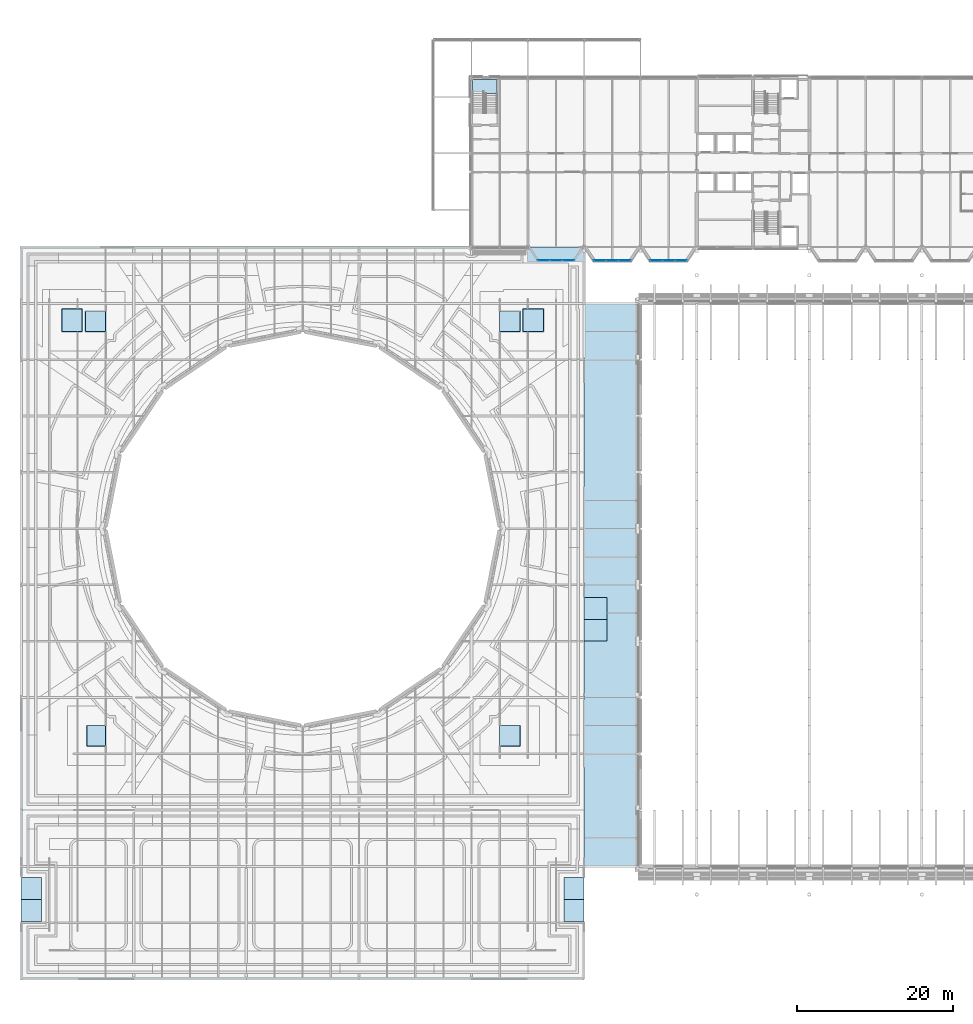
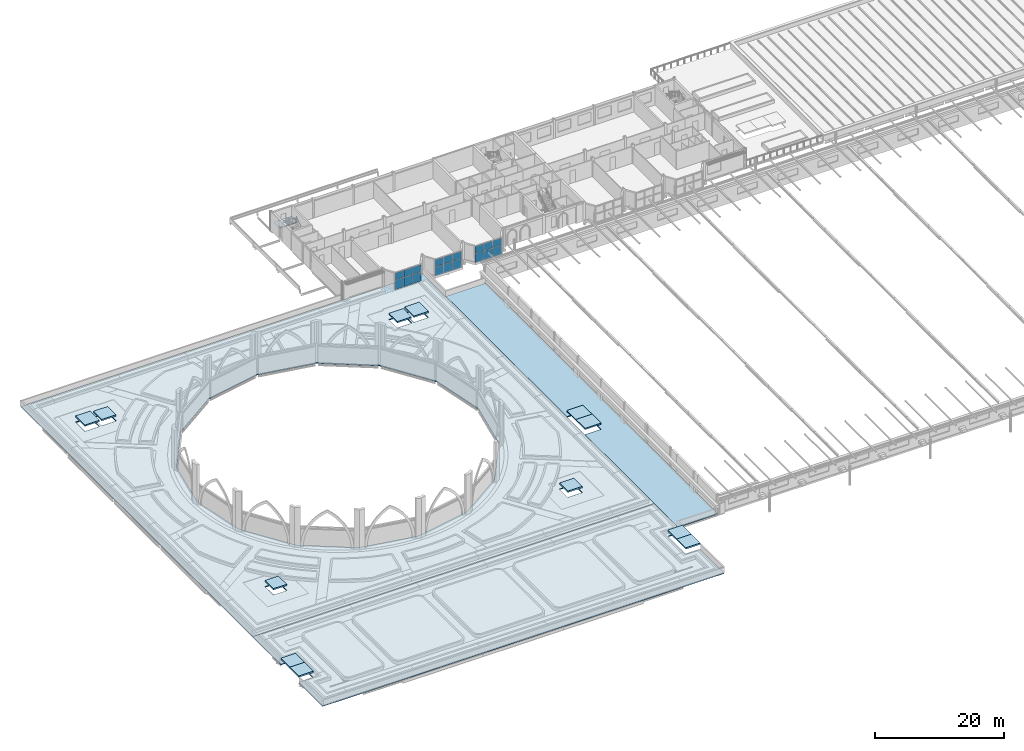
# One storey, part 36 of 110: 18 plates, 16 slabs, 4 elements without a shape of their own.
"""IFC4 building model written with IfcOpenShell, lengths in metres."""

from ifc_helpers import new_model, si_unit, direction, frame, origin, origin_2d, place, context, subcontext, project, spatial, polyline, rectangle, outline, extrude, material, layer, layer_set, type_object, element, aggregate, save


model = new_model("IFC4")

# Units and contexts
model_context = context("Model", 3, precision=1e-05, world=origin(), true_north=direction((0.0, 1.0)))
body_context = subcontext(model_context, "Body", "Model", "MODEL_VIEW")
ifc_project = project(units=[si_unit("LENGTHUNIT", "METRE"), si_unit("AREAUNIT", "SQUARE_METRE"), si_unit("VOLUMEUNIT", "CUBIC_METRE"), si_unit("PLANEANGLEUNIT", "RADIAN"), si_unit("MASSUNIT", "GRAM", prefix="KILO")], contexts=[model_context])

# Site, building, storey
site_placement = place(None, origin())
site = spatial("IfcSite", under=ifc_project, at=site_placement, CompositionType="ELEMENT")
building_placement = place(site_placement, origin())
building = spatial("IfcBuilding", under=site, at=building_placement, Name="Kupolbacken Congress Centre", CompositionType="ELEMENT")
storey_placement = place(building_placement, frame((0.0, 0.0, 18.0)))
storey = spatial("IfcBuildingStorey", under=building, at=storey_placement, Name="L05", CompositionType="ELEMENT", Elevation=18.0)

# Slabs
ifc_material_1 = material(Name="Concrete C30/37", Category="concrete")
ifc_layer_1 = layer(ifc_material_1, 0.1201171875)
ifc_material_2 = material(Name="Steel S350 profiled deck", Category="steel")
ifc_layer_2 = layer(ifc_material_2, 0.06005859375)
ifc_layer_set_1 = layer_set([ifc_layer_1, ifc_layer_2], Name="Concrete C30/37 / Steel S350 profiled deck")
slab_type_1 = type_object("IfcSlabType", Name="FS3 slab 180", PredefinedType="FLOOR", material=ifc_layer_set_1)
slab_1_placement = place(storey_placement, frame((0.0, 0.0, -0.179931640625)))
element("IfcSlab", 1, at=slab_1_placement, inside=storey, type_object=slab_type_1, Name="S/floor/F/L05/slab/slab", PredefinedType="ROOF", context=body_context, shape_type="SweptSolid", body=[
    extrude(outline(polyline([(79.199462890625, 28.800537109375), (79.199462890625, 36.1494140625), (76.599609375, 36.1494140625), (76.599609375, 41.75048828125), (79.199462890625, 41.75048828125), (79.199462890625, 50.3994140625), (7.200439453125, 50.3994140625), (7.200439453125, 41.75048828125), (9.800537109375, 41.75048828125), (9.800537109375, 36.1494140625), (7.200439453125, 36.1494140625), (7.200439453125, 28.800537109375), (79.199462890625, 28.800537109375)])), origin(), (0.0, 0.0, 1.0), 0.179931640625),
])
slab_2_placement = place(storey_placement, frame((0.0, 0.0, -0.179931640625)))
element("IfcSlab", 2, at=slab_2_placement, inside=storey, type_object=slab_type_1, Name="S/floor/P/L05/slab/slab", PredefinedType="ROOF", context=body_context, shape_type="SweptSolid", body=[
    extrude(outline(polyline([(7.200439453125, 50.400390625), (79.199462890625, 50.400390625), (79.199462890625, 122.3994140625), (7.200439453125, 122.3994140625), (7.200439453125, 50.400390625)]), holes=[polyline([(74.00048828125, 114.50048828125), (74.00048828125, 111.599609375), (71.3994140625, 111.599609375), (71.3994140625, 114.50048828125), (74.00048828125, 114.50048828125)]), polyline([(71.00048828125, 61.200439453125), (71.00048828125, 58.599609375), (68.3994140625, 58.599609375), (68.3994140625, 61.200439453125), (71.00048828125, 61.200439453125)]), polyline([(68.3994140625, 114.200439453125), (71.00048828125, 114.200439453125), (71.00048828125, 111.599609375), (68.3994140625, 111.599609375), (68.3994140625, 114.200439453125)]), polyline([(61.000244140625, 68.599609375), (52.85009765625, 63.099609375), (43.199951171875, 61.199462890625), (33.5498046875, 63.099609375), (25.399658203125, 68.599609375), (19.8994140625, 76.749755859375), (17.99951171875, 86.39990234375), (19.8994140625, 96.05029296875), (25.399658203125, 104.200439453125), (33.5498046875, 109.700439453125), (43.199951171875, 111.6005859375), (52.85009765625, 109.700439453125), (61.000244140625, 104.200439453125), (66.50048828125, 96.05029296875), (68.400390625, 86.39990234375), (66.50048828125, 76.749755859375), (61.000244140625, 68.599609375)]), polyline([(18.00048828125, 114.200439453125), (18.00048828125, 111.599609375), (15.3994140625, 111.599609375), (15.3994140625, 114.200439453125), (18.00048828125, 114.200439453125)]), polyline([(15.599609375, 58.599609375), (15.599609375, 61.200439453125), (18.00048828125, 61.200439453125), (18.00048828125, 58.599609375), (15.599609375, 58.599609375)]), polyline([(15.00048828125, 114.50048828125), (15.00048828125, 111.599609375), (12.3994140625, 111.599609375), (12.3994140625, 114.50048828125), (15.00048828125, 114.50048828125)])]), origin(), (0.0, 0.0, 1.0), 0.179931640625),
])
slab_3_placement = place(storey_placement, frame((0.0, 0.0, -0.179931640625)))
element("IfcSlab", 3, at=slab_3_placement, inside=storey, type_object=slab_type_1, Name="S/floor/LINK/L05/slab/slab", PredefinedType="ROOF", context=body_context, shape_type="SweptSolid", body=[
    extrude(outline(polyline([(86.3994140625, 43.200439453125), (86.3994140625, 115.199462890625), (79.200439453125, 115.199462890625), (79.200439453125, 77.6005859375), (82.1005859375, 77.6005859375), (82.1005859375, 71.99951171875), (79.200439453125, 71.99951171875), (79.200439453125, 43.200439453125), (86.3994140625, 43.200439453125)])), origin(), (0.0, 0.0, 1.0), 0.179931640625),
])

# Curtain wall, plates
ifc_material_3 = material(Name="Aluminium mullion-transom frame with glass", Category="aluminium")
curtain_wall_type = type_object("IfcCurtainWallType", Name="CW1 curtain wall 7200x3600", PredefinedType="NOTDEFINED", material=ifc_material_3)
curtain_wall_1_placement = place(storey_placement, origin())
curtain_wall_1 = element("IfcCurtainWall", 4, at=curtain_wall_1_placement, inside=storey, type_object=curtain_wall_type, Name="E/T/cumba/L05/S/001/cw", PredefinedType="NOTDEFINED")
ifc_material_4 = material(Name="Glass", Category="glass")
ifc_layer_3 = layer(ifc_material_4, 0.035888671875)
ifc_layer_set_2 = layer_set([ifc_layer_3], Name="Glass")
plate_type = type_object("IfcPlateType", Name="GL2 glass panel 36", PredefinedType="CURTAIN_PANEL", material=ifc_layer_set_2)
plate_1_placement = place(storey_placement, frame((74.012451171875, 120.699951171875, 0.050048828125), z_axis=(0.0, 0.0, 1.0), x_axis=(1.0, 0.0, 0.0)))
plate_1 = element("IfcPlate", 5, at=plate_1_placement, type_object=plate_type, Name="CW1 panel 1.1", PredefinedType="CURTAIN_PANEL", context=body_context, shape_type="SweptSolid", body=[
    extrude(rectangle(XDim=1.52490234375, YDim=0.035888671875, at=origin_2d()), origin(), (0.0, 0.0, 1.0), 1.72509765625),
])
plate_2_placement = place(storey_placement, frame((74.012451171875, 120.699951171875, 1.8251953125), z_axis=(0.0, 0.0, 1.0), x_axis=(1.0, 0.0, 0.0)))
plate_2 = element("IfcPlate", 6, at=plate_2_placement, type_object=plate_type, Name="CW1 panel 1.2", PredefinedType="CURTAIN_PANEL", context=body_context, shape_type="SweptSolid", body=[
    extrude(rectangle(XDim=1.52490234375, YDim=0.035888671875, at=origin_2d()), origin(), (0.0, 0.0, 1.0), 1.344970703125),
])
plate_3_placement = place(storey_placement, frame((75.60009765625, 120.699951171875, 0.050048828125), z_axis=(0.0, 0.0, 1.0), x_axis=(1.0, 0.0, 0.0)))
plate_3 = element("IfcPlate", 7, at=plate_3_placement, type_object=plate_type, Name="CW1 panel 2.1", PredefinedType="CURTAIN_PANEL", context=body_context, shape_type="SweptSolid", body=[
    extrude(rectangle(XDim=1.550048828125, YDim=0.035888671875, at=origin_2d()), origin(), (0.0, 0.0, 1.0), 1.72509765625),
])
plate_4_placement = place(storey_placement, frame((75.60009765625, 120.699951171875, 1.8251953125), z_axis=(0.0, 0.0, 1.0), x_axis=(1.0, 0.0, 0.0)))
plate_4 = element("IfcPlate", 8, at=plate_4_placement, type_object=plate_type, Name="CW1 panel 2.2", PredefinedType="CURTAIN_PANEL", context=body_context, shape_type="SweptSolid", body=[
    extrude(rectangle(XDim=1.550048828125, YDim=0.035888671875, at=origin_2d()), origin(), (0.0, 0.0, 1.0), 1.344970703125),
])
plate_5_placement = place(storey_placement, frame((77.1875, 120.699951171875, 0.050048828125), z_axis=(0.0, 0.0, 1.0), x_axis=(1.0, 0.0, 0.0)))
plate_5 = element("IfcPlate", 9, at=plate_5_placement, type_object=plate_type, Name="CW1 panel 3.1", PredefinedType="CURTAIN_PANEL", context=body_context, shape_type="SweptSolid", body=[
    extrude(rectangle(XDim=1.52490234375, YDim=0.035888671875, at=origin_2d()), origin(), (0.0, 0.0, 1.0), 1.72509765625),
])
plate_6_placement = place(storey_placement, frame((77.1875, 120.699951171875, 1.8251953125), z_axis=(0.0, 0.0, 1.0), x_axis=(1.0, 0.0, 0.0)))
plate_6 = element("IfcPlate", 10, at=plate_6_placement, type_object=plate_type, Name="CW1 panel 3.2", PredefinedType="CURTAIN_PANEL", context=body_context, shape_type="SweptSolid", body=[
    extrude(rectangle(XDim=1.52490234375, YDim=0.035888671875, at=origin_2d()), origin(), (0.0, 0.0, 1.0), 1.344970703125),
])
aggregate(curtain_wall_1, [plate_1, plate_2, plate_3, plate_4, plate_5, plate_6])

curtain_wall_2_placement = place(storey_placement, origin())
curtain_wall_2 = element("IfcCurtainWall", 11, at=curtain_wall_2_placement, inside=storey, type_object=curtain_wall_type, Name="E/T/cumba/L05/S/005/cw", PredefinedType="NOTDEFINED")
plate_7_placement = place(storey_placement, frame((81.21240234375, 120.699951171875, 0.050048828125), z_axis=(0.0, 0.0, 1.0), x_axis=(1.0, 0.0, 0.0)))
plate_7 = element("IfcPlate", 12, at=plate_7_placement, type_object=plate_type, Name="CW1 panel 1.1", PredefinedType="CURTAIN_PANEL", context=body_context, shape_type="SweptSolid", body=[
    extrude(rectangle(XDim=1.52490234375, YDim=0.035888671875, at=origin_2d()), origin(), (0.0, 0.0, 1.0), 1.72509765625),
])
plate_8_placement = place(storey_placement, frame((81.21240234375, 120.699951171875, 1.8251953125), z_axis=(0.0, 0.0, 1.0), x_axis=(1.0, 0.0, 0.0)))
plate_8 = element("IfcPlate", 13, at=plate_8_placement, type_object=plate_type, Name="CW1 panel 1.2", PredefinedType="CURTAIN_PANEL", context=body_context, shape_type="SweptSolid", body=[
    extrude(rectangle(XDim=1.52490234375, YDim=0.035888671875, at=origin_2d()), origin(), (0.0, 0.0, 1.0), 1.344970703125),
])
plate_9_placement = place(storey_placement, frame((82.800048828125, 120.699951171875, 0.050048828125), z_axis=(0.0, 0.0, 1.0), x_axis=(1.0, 0.0, 0.0)))
plate_9 = element("IfcPlate", 14, at=plate_9_placement, type_object=plate_type, Name="CW1 panel 2.1", PredefinedType="CURTAIN_PANEL", context=body_context, shape_type="SweptSolid", body=[
    extrude(rectangle(XDim=1.550048828125, YDim=0.035888671875, at=origin_2d()), origin(), (0.0, 0.0, 1.0), 1.72509765625),
])
plate_10_placement = place(storey_placement, frame((82.800048828125, 120.699951171875, 1.8251953125), z_axis=(0.0, 0.0, 1.0), x_axis=(1.0, 0.0, 0.0)))
plate_10 = element("IfcPlate", 15, at=plate_10_placement, type_object=plate_type, Name="CW1 panel 2.2", PredefinedType="CURTAIN_PANEL", context=body_context, shape_type="SweptSolid", body=[
    extrude(rectangle(XDim=1.550048828125, YDim=0.035888671875, at=origin_2d()), origin(), (0.0, 0.0, 1.0), 1.344970703125),
])
plate_11_placement = place(storey_placement, frame((84.387451171875, 120.699951171875, 0.050048828125), z_axis=(0.0, 0.0, 1.0), x_axis=(1.0, 0.0, 0.0)))
plate_11 = element("IfcPlate", 16, at=plate_11_placement, type_object=plate_type, Name="CW1 panel 3.1", PredefinedType="CURTAIN_PANEL", context=body_context, shape_type="SweptSolid", body=[
    extrude(rectangle(XDim=1.52490234375, YDim=0.035888671875, at=origin_2d()), origin(), (0.0, 0.0, 1.0), 1.72509765625),
])
plate_12_placement = place(storey_placement, frame((84.387451171875, 120.699951171875, 1.8251953125), z_axis=(0.0, 0.0, 1.0), x_axis=(1.0, 0.0, 0.0)))
plate_12 = element("IfcPlate", 17, at=plate_12_placement, type_object=plate_type, Name="CW1 panel 3.2", PredefinedType="CURTAIN_PANEL", context=body_context, shape_type="SweptSolid", body=[
    extrude(rectangle(XDim=1.52490234375, YDim=0.035888671875, at=origin_2d()), origin(), (0.0, 0.0, 1.0), 1.344970703125),
])
aggregate(curtain_wall_2, [plate_7, plate_8, plate_9, plate_10, plate_11, plate_12])

curtain_wall_3_placement = place(storey_placement, origin())
curtain_wall_3 = element("IfcCurtainWall", 18, at=curtain_wall_3_placement, inside=storey, type_object=curtain_wall_type, Name="E/T/cumba/L05/S/009/cw", PredefinedType="NOTDEFINED")
plate_13_placement = place(storey_placement, frame((88.41259765625, 120.699951171875, 0.050048828125), z_axis=(0.0, 0.0, 1.0), x_axis=(1.0, 0.0, 0.0)))
plate_13 = element("IfcPlate", 19, at=plate_13_placement, type_object=plate_type, Name="CW1 panel 1.1", PredefinedType="CURTAIN_PANEL", context=body_context, shape_type="SweptSolid", body=[
    extrude(rectangle(XDim=1.52490234375, YDim=0.035888671875, at=origin_2d()), origin(), (0.0, 0.0, 1.0), 1.72509765625),
])
plate_14_placement = place(storey_placement, frame((88.41259765625, 120.699951171875, 1.8251953125), z_axis=(0.0, 0.0, 1.0), x_axis=(1.0, 0.0, 0.0)))
plate_14 = element("IfcPlate", 20, at=plate_14_placement, type_object=plate_type, Name="CW1 panel 1.2", PredefinedType="CURTAIN_PANEL", context=body_context, shape_type="SweptSolid", body=[
    extrude(rectangle(XDim=1.52490234375, YDim=0.035888671875, at=origin_2d()), origin(), (0.0, 0.0, 1.0), 1.344970703125),
])
plate_15_placement = place(storey_placement, frame((90.0, 120.699951171875, 0.050048828125), z_axis=(0.0, 0.0, 1.0), x_axis=(1.0, 0.0, 0.0)))
plate_15 = element("IfcPlate", 21, at=plate_15_placement, type_object=plate_type, Name="CW1 panel 2.1", PredefinedType="CURTAIN_PANEL", context=body_context, shape_type="SweptSolid", body=[
    extrude(rectangle(XDim=1.550048828125, YDim=0.035888671875, at=origin_2d()), origin(), (0.0, 0.0, 1.0), 1.72509765625),
])
plate_16_placement = place(storey_placement, frame((90.0, 120.699951171875, 1.8251953125), z_axis=(0.0, 0.0, 1.0), x_axis=(1.0, 0.0, 0.0)))
plate_16 = element("IfcPlate", 22, at=plate_16_placement, type_object=plate_type, Name="CW1 panel 2.2", PredefinedType="CURTAIN_PANEL", context=body_context, shape_type="SweptSolid", body=[
    extrude(rectangle(XDim=1.550048828125, YDim=0.035888671875, at=origin_2d()), origin(), (0.0, 0.0, 1.0), 1.344970703125),
])
plate_17_placement = place(storey_placement, frame((91.58740234375, 120.699951171875, 0.050048828125), z_axis=(0.0, 0.0, 1.0), x_axis=(1.0, 0.0, 0.0)))
plate_17 = element("IfcPlate", 23, at=plate_17_placement, type_object=plate_type, Name="CW1 panel 3.1", PredefinedType="CURTAIN_PANEL", context=body_context, shape_type="SweptSolid", body=[
    extrude(rectangle(XDim=1.52490234375, YDim=0.035888671875, at=origin_2d()), origin(), (0.0, 0.0, 1.0), 1.72509765625),
])
plate_18_placement = place(storey_placement, frame((91.58740234375, 120.699951171875, 1.8251953125), z_axis=(0.0, 0.0, 1.0), x_axis=(1.0, 0.0, 0.0)))
plate_18 = element("IfcPlate", 24, at=plate_18_placement, type_object=plate_type, Name="CW1 panel 3.2", PredefinedType="CURTAIN_PANEL", context=body_context, shape_type="SweptSolid", body=[
    extrude(rectangle(XDim=1.52490234375, YDim=0.035888671875, at=origin_2d()), origin(), (0.0, 0.0, 1.0), 1.344970703125),
])
aggregate(curtain_wall_3, [plate_13, plate_14, plate_15, plate_16, plate_17, plate_18])

# Slabs
ifc_layer_4 = layer(ifc_material_1, 0.080078125)
ifc_layer_5 = layer(ifc_material_2, 0.06005859375)
ifc_material_5 = material(Name="Mineral wool", Category="insulation")
ifc_layer_6 = layer(ifc_material_5, 0.1201171875)
ifc_material_6 = material(Name="Roofing membrane", Category="membrane")
ifc_layer_7 = layer(ifc_material_6, 0.010009765625)
ifc_layer_set_3 = layer_set([ifc_layer_4, ifc_layer_5, ifc_layer_6, ifc_layer_7], Name="Concrete C30/37 / Steel S350 profiled deck / Mineral wool / Roofing membrane")
slab_type_2 = type_object("IfcSlabType", Name="RS2 slab 270", PredefinedType="ROOF", material=ifc_layer_set_3)
slab_4_placement = place(storey_placement, frame((0.0, 0.0, 0.89990234375)))
element("IfcSlab", 25, at=slab_4_placement, inside=storey, type_object=slab_type_2, Name="Lift machine room slab LP1", PredefinedType="ROOF", context=body_context, shape_type="SweptSolid", body=[
    extrude(outline(polyline([(7.199951171875, 36.14990234375), (9.800048828125, 36.14990234375), (9.800048828125, 38.949951171875), (7.199951171875, 38.949951171875), (7.199951171875, 36.14990234375)])), origin(), (0.0, 0.0, 1.0), 0.27001953125),
])
slab_5_placement = place(storey_placement, frame((0.0, 0.0, 0.89990234375)))
element("IfcSlab", 26, at=slab_5_placement, inside=storey, type_object=slab_type_2, Name="Lift machine room slab LP2", PredefinedType="ROOF", context=body_context, shape_type="SweptSolid", body=[
    extrude(outline(polyline([(7.199951171875, 38.949951171875), (9.800048828125, 38.949951171875), (9.800048828125, 41.75), (7.199951171875, 41.75), (7.199951171875, 38.949951171875)])), origin(), (0.0, 0.0, 1.0), 0.27001953125),
])
slab_6_placement = place(storey_placement, frame((0.0, 0.0, 0.89990234375)))
element("IfcSlab", 27, at=slab_6_placement, inside=storey, type_object=slab_type_2, Name="Lift machine room slab LP3", PredefinedType="ROOF", context=body_context, shape_type="SweptSolid", body=[
    extrude(outline(polyline([(76.60009765625, 36.14990234375), (79.199951171875, 36.14990234375), (79.199951171875, 38.949951171875), (76.60009765625, 38.949951171875), (76.60009765625, 36.14990234375)])), origin(), (0.0, 0.0, 1.0), 0.27001953125),
])
slab_7_placement = place(storey_placement, frame((0.0, 0.0, 0.89990234375)))
element("IfcSlab", 28, at=slab_7_placement, inside=storey, type_object=slab_type_2, Name="Lift machine room slab LP4", PredefinedType="ROOF", context=body_context, shape_type="SweptSolid", body=[
    extrude(outline(polyline([(76.60009765625, 38.949951171875), (79.199951171875, 38.949951171875), (79.199951171875, 41.75), (76.60009765625, 41.75), (76.60009765625, 38.949951171875)])), origin(), (0.0, 0.0, 1.0), 0.27001953125),
])
slab_8_placement = place(storey_placement, frame((0.0, 0.0, 0.89990234375)))
element("IfcSlab", 29, at=slab_8_placement, inside=storey, type_object=slab_type_2, Name="Lift machine room slab LP5", PredefinedType="ROOF", context=body_context, shape_type="SweptSolid", body=[
    extrude(outline(polyline([(15.60009765625, 58.60009765625), (18.0, 58.60009765625), (18.0, 61.199951171875), (15.60009765625, 61.199951171875), (15.60009765625, 58.60009765625)])), origin(), (0.0, 0.0, 1.0), 0.27001953125),
])
slab_9_placement = place(storey_placement, frame((0.0, 0.0, 0.89990234375)))
element("IfcSlab", 30, at=slab_9_placement, inside=storey, type_object=slab_type_2, Name="Lift machine room slab LP6", PredefinedType="ROOF", context=body_context, shape_type="SweptSolid", body=[
    extrude(outline(polyline([(68.39990234375, 58.60009765625), (71.0, 58.60009765625), (71.0, 61.199951171875), (68.39990234375, 61.199951171875), (68.39990234375, 58.60009765625)])), origin(), (0.0, 0.0, 1.0), 0.27001953125),
])
slab_10_placement = place(storey_placement, frame((0.0, 0.0, 0.89990234375)))
element("IfcSlab", 31, at=slab_10_placement, inside=storey, type_object=slab_type_2, Name="Lift machine room slab LP7", PredefinedType="ROOF", context=body_context, shape_type="SweptSolid", body=[
    extrude(outline(polyline([(15.39990234375, 111.60009765625), (18.0, 111.60009765625), (18.0, 114.199951171875), (15.39990234375, 114.199951171875), (15.39990234375, 111.60009765625)])), origin(), (0.0, 0.0, 1.0), 0.27001953125),
])
slab_11_placement = place(storey_placement, frame((0.0, 0.0, 0.89990234375)))
element("IfcSlab", 32, at=slab_11_placement, inside=storey, type_object=slab_type_2, Name="Lift machine room slab LG1", PredefinedType="ROOF", context=body_context, shape_type="SweptSolid", body=[
    extrude(outline(polyline([(12.39990234375, 111.60009765625), (15.0, 111.60009765625), (15.0, 114.5), (12.39990234375, 114.5), (12.39990234375, 111.60009765625)])), origin(), (0.0, 0.0, 1.0), 0.27001953125),
])
slab_12_placement = place(storey_placement, frame((0.0, 0.0, 0.89990234375)))
element("IfcSlab", 33, at=slab_12_placement, inside=storey, type_object=slab_type_2, Name="Lift machine room slab LP8", PredefinedType="ROOF", context=body_context, shape_type="SweptSolid", body=[
    extrude(outline(polyline([(68.39990234375, 111.60009765625), (71.0, 111.60009765625), (71.0, 114.199951171875), (68.39990234375, 114.199951171875), (68.39990234375, 111.60009765625)])), origin(), (0.0, 0.0, 1.0), 0.27001953125),
])
slab_13_placement = place(storey_placement, frame((0.0, 0.0, 0.89990234375)))
element("IfcSlab", 34, at=slab_13_placement, inside=storey, type_object=slab_type_2, Name="Lift machine room slab LG2", PredefinedType="ROOF", context=body_context, shape_type="SweptSolid", body=[
    extrude(outline(polyline([(71.39990234375, 111.60009765625), (74.0, 111.60009765625), (74.0, 114.5), (71.39990234375, 114.5), (71.39990234375, 111.60009765625)])), origin(), (0.0, 0.0, 1.0), 0.27001953125),
])
slab_14_placement = place(storey_placement, frame((0.0, 0.0, 0.89990234375)))
element("IfcSlab", 35, at=slab_14_placement, inside=storey, type_object=slab_type_2, Name="Lift machine room slab LG3", PredefinedType="ROOF", context=body_context, shape_type="SweptSolid", body=[
    extrude(outline(polyline([(79.199951171875, 72.0), (82.10009765625, 72.0), (82.10009765625, 74.800048828125), (79.199951171875, 74.800048828125), (79.199951171875, 72.0)])), origin(), (0.0, 0.0, 1.0), 0.27001953125),
])
slab_15_placement = place(storey_placement, frame((0.0, 0.0, 0.89990234375)))
element("IfcSlab", 36, at=slab_15_placement, inside=storey, type_object=slab_type_2, Name="Lift machine room slab LG4", PredefinedType="ROOF", context=body_context, shape_type="SweptSolid", body=[
    extrude(outline(polyline([(79.199951171875, 74.800048828125), (82.10009765625, 74.800048828125), (82.10009765625, 77.60009765625), (79.199951171875, 77.60009765625), (79.199951171875, 74.800048828125)])), origin(), (0.0, 0.0, 1.0), 0.27001953125),
])

# Stair, slab
ifc_material_7 = material(Name="Steel S355", Category="steel")
stair_type = type_object("IfcStairType", Name="ST2 stair 1500", PredefinedType="TWO_STRAIGHT_RUN_STAIR", material=ifc_material_7)
stair_placement = place(storey_placement, origin())
stair = element("IfcStair", 37, at=stair_placement, inside=storey, type_object=stair_type, Name="C/stair/TS3/L05", PredefinedType="NOTDEFINED")
ifc_material_8 = material(Name="Concrete C30/37 precast", Category="concrete")
ifc_layer_8 = layer(ifc_material_8, 0.175048828125)
ifc_layer_set_4 = layer_set([ifc_layer_8], Name="Concrete C30/37 precast")
slab_type_3 = type_object("IfcSlabType", Name="SL1 slab 175", PredefinedType="LANDING", material=ifc_layer_set_4)
slab_16_placement = place(storey_placement, frame((0.0, 0.0, 1.539306640625)))
slab_16 = element("IfcSlab", 38, at=slab_16_placement, type_object=slab_type_3, Name="TS3 landing 1", PredefinedType="LANDING", context=body_context, shape_type="SweptSolid", body=[
    extrude(outline(polyline([(64.929931640625, 142.044921875), (68.070068359375, 142.044921875), (68.070068359375, 143.8701171875), (64.929931640625, 143.8701171875), (64.929931640625, 142.044921875)])), origin(), (0.0, 0.0, 1.0), 0.175048828125),
])
aggregate(stair, [slab_16])

save(model, "model.ifc")
